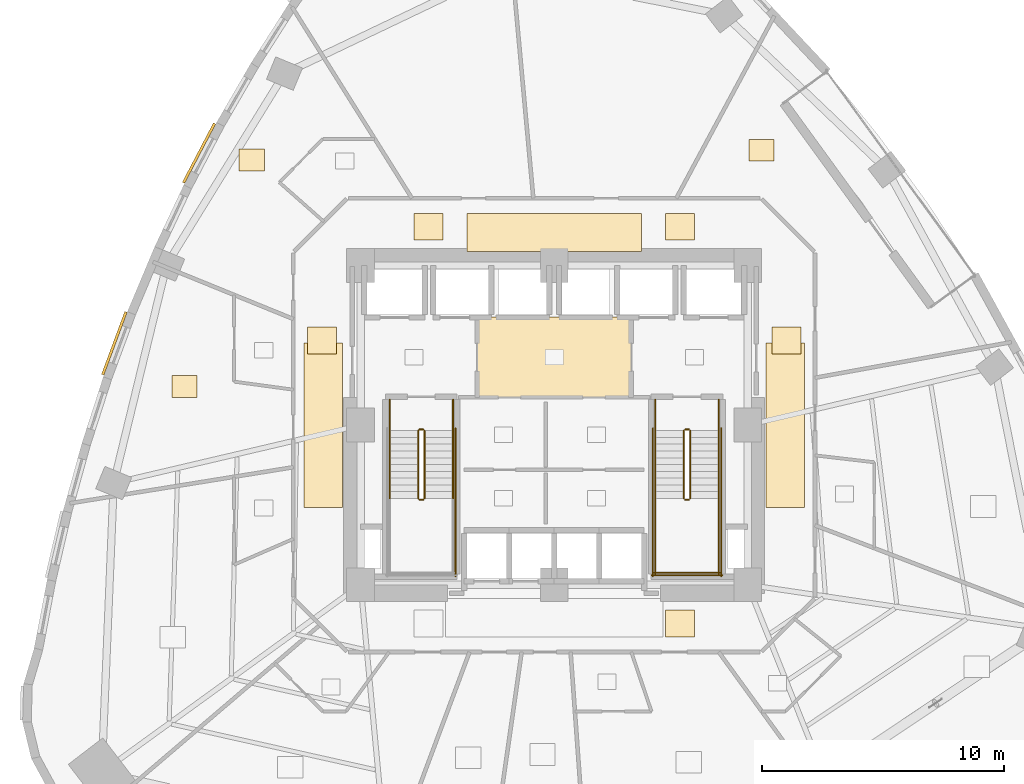
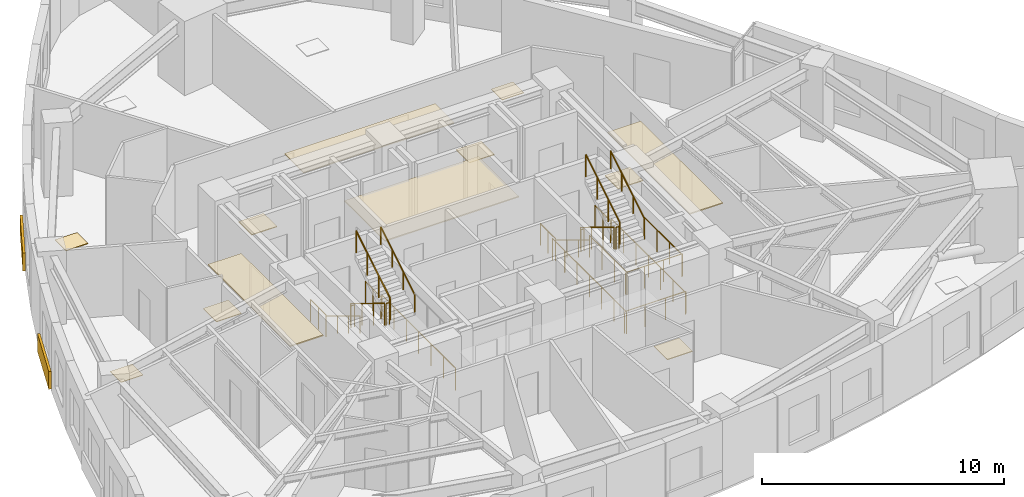
# One storey, part 14 of 15: 23 railings, 14 coverings.
"""IFC4 building model written with IfcOpenShell, lengths in metres."""

from ifc_helpers import new_model, si_unit, direction, frame, origin, origin_2d, place, context, subcontext, project, spatial, rectangle, circle, extrude, material, layer, layer_set, type_object, element, save


model = new_model("IFC4")

# Units and contexts
model_context = context("Model", 3, precision=1e-05, world=origin(), true_north=direction((0.0, 1.0)))
body_context = subcontext(model_context, "Body", "Model", "MODEL_VIEW")
ifc_project = project(units=[si_unit("LENGTHUNIT", "METRE"), si_unit("AREAUNIT", "SQUARE_METRE"), si_unit("VOLUMEUNIT", "CUBIC_METRE"), si_unit("PLANEANGLEUNIT", "RADIAN"), si_unit("MASSUNIT", "GRAM", prefix="KILO")], contexts=[model_context])

# Site, building, storey
site_placement = place(None, origin())
site = spatial("IfcSite", under=ifc_project, at=site_placement, CompositionType="ELEMENT")
building_placement = place(site_placement, origin())
building = spatial("IfcBuilding", under=site, at=building_placement, Name="Ndelora Gate Hotel", CompositionType="ELEMENT")
storey_placement = place(building_placement, frame((0.0, 0.0, 56.75)))
storey = spatial("IfcBuildingStorey", under=building, at=storey_placement, Name="L13", CompositionType="ELEMENT", Elevation=56.75)

# Coverings
ifc_material_1 = material(Name="Perforated Acoustic Gypsum Board", Category="gypsum")
ifc_layer_1 = layer(ifc_material_1, 0.054931640625)
ifc_layer_set_1 = layer_set([ifc_layer_1], Name="Perforated Acoustic Gypsum Board")
covering_type_1 = type_object("IfcCoveringType", Name="COV-CEIL-AC60", PredefinedType="CEILING", material=ifc_layer_set_1)
covering_1_placement = place(storey_placement, frame((0.0, 2.800048828125, 2.72265625), z_axis=(0.0, 0.0, 1.0), x_axis=(1.0, 0.0, 0.0)))
element("IfcCovering", 1, at=covering_1_placement, inside=storey, type_object=covering_type_1, Name="L13 Lift Lobby Acoustic Ceiling", PredefinedType="CEILING", context=body_context, shape_type="SweptSolid", body=[
    extrude(rectangle(XDim=6.39990234375, YDim=3.340087890625, at=origin_2d()), origin(), (0.0, 0.0, 1.0), 0.054931640625),
])
covering_2_placement = place(storey_placement, frame((0.0, 7.9599609375, 2.65234375), z_axis=(0.0, 0.0, 1.0), x_axis=(1.0, 0.0, 0.0)))
element("IfcCovering", 2, at=covering_2_placement, inside=storey, type_object=covering_type_1, Name="L13 Guest Corridor Acoustic Ceiling N", PredefinedType="CEILING", context=body_context, shape_type="SweptSolid", body=[
    extrude(rectangle(XDim=7.199951171875, YDim=1.580078125, at=origin_2d()), origin(), (0.0, 0.0, 1.0), 0.054931640625),
])
for number, where, z_axis, x_axis, name in (
    (3, (-9.550048828125, 0.0, 2.65234375), (0.0, 0.0, 1.0), (1.0, 0.0, 0.0), "L13 Guest Corridor Acoustic Ceiling W"),
    (4, (9.550048828125, 0.0, 2.65234375), (0.0, 0.0, 1.0), (1.0, 0.0, 0.0), "L13 Guest Corridor Acoustic Ceiling E"),
):
    element("IfcCovering", number, at=place(storey_placement, frame(where, z_axis=z_axis, x_axis=x_axis)), inside=storey, type_object=covering_type_1, Name=name, PredefinedType="CEILING", context=body_context, shape_type="SweptSolid", body=[
        extrude(rectangle(XDim=1.580078125, YDim=6.800048828125, at=origin_2d()), origin(), (0.0, 0.0, 1.0), 0.054931640625),
    ])
ifc_material_2 = material(Name="Terracotta Fired Clay Brick Slip Cladding", Category="masonry")
ifc_layer_2 = layer(ifc_material_2, 0.110107421875)
ifc_layer_set_2 = layer_set([ifc_layer_2], Name="Terracotta Fired Clay Brick Slip Cladding")
covering_type_2 = type_object("IfcCoveringType", Name="COV-CLAD-BRK", PredefinedType="CLADDING", material=ifc_layer_set_2)
for number, where, z_axis, x_axis, name in (
    (5, (-14.678955078125, 11.24609375, 0.10009765625), (0.0, 0.0, 1.0), (0.464378391008, 0.885636895101, 0.0), "L13 Rounded-Corner Brick Cladding Band 13"),
    (6, (-18.1796875, 3.38330078125, 0.10009765625), (0.0, 0.0, 1.0), (0.347426681491, 0.937707150974, 0.0), "L13 Rounded-Corner Brick Cladding Band 16"),
):
    element("IfcCovering", number, at=place(storey_placement, frame(where, z_axis=z_axis, x_axis=x_axis)), inside=storey, type_object=covering_type_2, Name=name, PredefinedType="CLADDING", context=body_context, shape_type="SweptSolid", body=[
        extrude(rectangle(XDim=2.764892578125, YDim=0.110107421875, at=origin_2d()), origin(), (0.0, 0.0, 1.0), 0.89990234375),
    ])
ifc_material_3 = material(Name="Engineered Highland Oak Parquet", Category="wood")
ifc_layer_3 = layer(ifc_material_3, 0.030029296875)
ifc_layer_set_3 = layer_set([ifc_layer_3], Name="Engineered Highland Oak Parquet")
covering_type_3 = type_object("IfcCoveringType", Name="COV-FLR-PARQ", PredefinedType="FLOORING", material=ifc_layer_set_3)
for number, where, z_axis, x_axis, name in (
    (7, (8.56787109375, 11.35693359375, 0.0), (0.0, 0.0, 1.0), (1.0, 0.0, 0.0), "L13 Sky Garden Tea Dining Room Oak Parquet Flooring"),
    (8, (-12.505615234375, 10.96142578125, 0.0), (0.0, 0.0, 1.0), (1.0, 0.0, 0.0), "L13 Corner Diplomatic Suite 1604 Oak Parquet Flooring"),
    (9, (-15.28125, 1.5927734375, 0.0), (0.0, 0.0, 1.0), (1.0, 0.0, 0.0), "L13 Executive King Guest Room 1605 Oak Parquet Flooring"),
):
    element("IfcCovering", number, at=place(storey_placement, frame(where, z_axis=z_axis, x_axis=x_axis)), inside=storey, type_object=covering_type_3, Name=name, PredefinedType="FLOORING", context=body_context, shape_type="SweptSolid", body=[
        extrude(rectangle(XDim=1.050048828125, YDim=0.89990234375, at=origin_2d()), origin(), (0.0, 0.0, 1.0), 0.030029296875),
    ])
ifc_material_4 = material(Name="Polished Highland Stone Terrazzo", Category="masonry")
ifc_layer_4 = layer(ifc_material_4, 0.034912109375)
ifc_layer_set_4 = layer_set([ifc_layer_4], Name="Polished Highland Stone Terrazzo")
covering_type_4 = type_object("IfcCoveringType", Name="COV-FLR-TERZ", PredefinedType="FLOORING", material=ifc_layer_set_4)
for number, where, z_axis, x_axis, name in (
    (10, (-5.199951171875, 8.199951171875, 0.0), (0.0, 0.0, 1.0), (1.0, 0.0, 0.0), "L13 Corridor Threshold Terrazzo Inlay NW"),
    (11, (5.199951171875, 8.199951171875, 0.0), (0.0, 0.0, 1.0), (1.0, 0.0, 0.0), "L13 Corridor Threshold Terrazzo Inlay NE"),
    (12, (-9.60009765625, 3.5, 0.0), (0.0, 0.0, 1.0), (1.0, 0.0, 0.0), "L13 Corridor Threshold Terrazzo Inlay W"),
    (13, (9.60009765625, 3.5, 0.0), (0.0, 0.0, 1.0), (1.0, 0.0, 0.0), "L13 Corridor Threshold Terrazzo Inlay E"),
    (14, (5.199951171875, -8.199951171875, 0.0), (0.0, 0.0, 1.0), (1.0, 0.0, 0.0), "L13 Corridor Threshold Terrazzo Inlay SE"),
):
    element("IfcCovering", number, at=place(storey_placement, frame(where, z_axis=z_axis, x_axis=x_axis)), inside=storey, type_object=covering_type_4, Name=name, PredefinedType="FLOORING", context=body_context, shape_type="SweptSolid", body=[
        extrude(rectangle(XDim=1.199951171875, YDim=1.10009765625, at=origin_2d()), origin(), (0.0, 0.0, 1.0), 0.034912109375),
    ])

# Railings
ifc_material_5 = material(Name="Painted Galvanized Steel Balustrade", Category="steel")
ifc_layer_5 = layer(ifc_material_5, 0.06005859375)
ifc_layer_set_5 = layer_set([ifc_layer_5], Name="Painted Galvanized Steel Balustrade")
railing_type_1 = type_object("IfcRailingType", Name="RL-STAIR-GD", PredefinedType="GUARDRAIL", material=ifc_layer_set_5)
railing_1_placement = place(storey_placement, frame((-5.6201171875, -0.22998046875, 0.17041015625)))
element("IfcRailing", 15, at=railing_1_placement, inside=storey, type_object=railing_type_1, Name="L13 ST4 stair guard 1", PredefinedType="GUARDRAIL", context=body_context, shape_type="SweptSolid", body=[
    extrude(circle(Radius=0.02392578125, at=origin_2d()), frame((0.0, 0.0, 1.10595703125), z_axis=(0.0, -0.854169791009, 0.51999420009), x_axis=(1.0, 0.0, 0.0)), (0.0, 0.0, 1.0), 3.278076171875),
    extrude(circle(Radius=0.02099609375, at=origin_2d()), origin(), (0.0, 0.0, 1.0), 1.081787109375),
    extrude(circle(Radius=0.02099609375, at=origin_2d()), frame((0.0, -0.933349609375, 0.568115234375)), (0.0, 0.0, 1.0), 1.081787109375),
    extrude(circle(Radius=0.02099609375, at=origin_2d()), frame((0.0, -1.86669921875, 1.136474609375)), (0.0, 0.0, 1.0), 1.081787109375),
    extrude(circle(Radius=0.02099609375, at=origin_2d()), frame((0.0, -2.800048828125, 1.70458984375)), (0.0, 0.0, 1.0), 1.081787109375),
])
railing_2_placement = place(storey_placement, frame((-5.570068359375, -3.080078125, 1.875)))
element("IfcRailing", 16, at=railing_2_placement, inside=storey, type_object=railing_type_1, Name="L13 ST4 stair guard 2", PredefinedType="GUARDRAIL", context=body_context, shape_type="SweptSolid", body=[
    extrude(circle(Radius=0.02392578125, at=origin_2d()), frame((0.0, 0.0, 1.10595703125), z_axis=(1.0, 0.0, 0.0), x_axis=(0.0, 1.0, 0.0)), (0.0, 0.0, 1.0), 0.16015625),
    extrude(circle(Radius=0.02099609375, at=origin_2d()), origin(), (0.0, 0.0, 1.0), 1.081787109375),
    extrude(circle(Radius=0.02099609375, at=origin_2d()), frame((0.16015625, 0.0, 0.0)), (0.0, 0.0, 1.0), 1.081787109375),
])
railing_3_placement = place(storey_placement, frame((-5.360107421875, -3.030029296875, 2.04541015625)))
element("IfcRailing", 17, at=railing_3_placement, inside=storey, type_object=railing_type_1, Name="L13 ST4 stair guard 6", PredefinedType="GUARDRAIL", context=body_context, shape_type="SweptSolid", body=[
    extrude(circle(Radius=0.02392578125, at=origin_2d()), frame((0.0, 0.0, 1.10595703125), z_axis=(0.0, 0.854169791009, 0.51999420009), x_axis=(-1.0, 0.0, 0.0)), (0.0, 0.0, 1.0), 3.278076171875),
    extrude(circle(Radius=0.02099609375, at=origin_2d()), origin(), (0.0, 0.0, 1.0), 1.081787109375),
    extrude(circle(Radius=0.02099609375, at=origin_2d()), frame((0.0, 0.933349609375, 0.568115234375)), (0.0, 0.0, 1.0), 1.081787109375),
    extrude(circle(Radius=0.02099609375, at=origin_2d()), frame((0.0, 1.86669921875, 1.136474609375)), (0.0, 0.0, 1.0), 1.081787109375),
    extrude(circle(Radius=0.02099609375, at=origin_2d()), frame((0.0, 2.800048828125, 1.70458984375)), (0.0, 0.0, 1.0), 1.081787109375),
])
railing_4_placement = place(storey_placement, frame((-5.570068359375, -0.179931640625, 0.0)))
element("IfcRailing", 18, at=railing_4_placement, inside=storey, type_object=railing_type_1, Name="L13 ST4 stair guard 7", PredefinedType="GUARDRAIL", context=body_context, shape_type="SweptSolid", body=[
    extrude(circle(Radius=0.02392578125, at=origin_2d()), frame((0.0, 0.0, 1.10595703125), z_axis=(1.0, 0.0, 0.0), x_axis=(0.0, 1.0, 0.0)), (0.0, 0.0, 1.0), 0.16015625),
    extrude(circle(Radius=0.02099609375, at=origin_2d()), origin(), (0.0, 0.0, 1.0), 1.081787109375),
    extrude(circle(Radius=0.02099609375, at=origin_2d()), frame((0.16015625, 0.0, 0.0)), (0.0, 0.0, 1.0), 1.081787109375),
])
for number, where, name in (
    (19, (-6.800048828125, 1.050048828125, 0.0), "L13 ST4 stair guard 8"),
    (20, (-4.179931640625, 1.050048828125, 0.0), "L13 ST4 stair guard 9"),
):
    element("IfcRailing", number, at=place(storey_placement, frame(where)), inside=storey, type_object=railing_type_1, Name=name, PredefinedType="GUARDRAIL", context=body_context, shape_type="SweptSolid", body=[
        extrude(circle(Radius=0.02392578125, at=origin_2d()), frame((0.0, 0.0, 1.10595703125), z_axis=(0.0, -1.0, 0.0), x_axis=(1.0, 0.0, 0.0)), (0.0, 0.0, 1.0), 1.280029296875),
        extrude(circle(Radius=0.02099609375, at=origin_2d()), origin(), (0.0, 0.0, 1.0), 1.081787109375),
        extrude(circle(Radius=0.02099609375, at=origin_2d()), frame((0.0, -0.64013671875, 0.0)), (0.0, 0.0, 1.0), 1.081787109375),
        extrude(circle(Radius=0.02099609375, at=origin_2d()), frame((0.0, -1.280029296875, 0.0)), (0.0, 0.0, 1.0), 1.081787109375),
    ])
railing_5_placement = place(storey_placement, frame((-4.080078125, -0.1298828125, 0.0)))
element("IfcRailing", 21, at=railing_5_placement, inside=storey, type_object=railing_type_1, Name="L13 ST4 stair guard 11", PredefinedType="GUARDRAIL", context=body_context, shape_type="SweptSolid", body=[
    extrude(circle(Radius=0.02392578125, at=origin_2d()), frame((0.0, 0.0, 1.10595703125), z_axis=(0.0, -1.0, 0.0), x_axis=(1.0, 0.0, 0.0)), (0.0, 0.0, 1.0), 6.1201171875),
    extrude(circle(Radius=0.02099609375, at=origin_2d()), origin(), (0.0, 0.0, 1.0), 1.081787109375),
    extrude(circle(Radius=0.02099609375, at=origin_2d()), frame((0.0, -1.02001953125, 0.0)), (0.0, 0.0, 1.0), 1.081787109375),
    extrude(circle(Radius=0.02099609375, at=origin_2d()), frame((0.0, -2.0400390625, 0.0)), (0.0, 0.0, 1.0), 1.081787109375),
    extrude(circle(Radius=0.02099609375, at=origin_2d()), frame((0.0, -3.06005859375, 0.0)), (0.0, 0.0, 1.0), 1.081787109375),
    extrude(circle(Radius=0.02099609375, at=origin_2d()), frame((0.0, -4.080078125, 0.0)), (0.0, 0.0, 1.0), 1.081787109375),
    extrude(circle(Radius=0.02099609375, at=origin_2d()), frame((0.0, -5.10009765625, 0.0)), (0.0, 0.0, 1.0), 1.081787109375),
    extrude(circle(Radius=0.02099609375, at=origin_2d()), frame((0.0, -6.1201171875, 0.0)), (0.0, 0.0, 1.0), 1.081787109375),
])
railing_6_placement = place(storey_placement, frame((5.360107421875, -0.22998046875, 0.17041015625)))
element("IfcRailing", 22, at=railing_6_placement, inside=storey, type_object=railing_type_1, Name="L13 ST5 stair guard 1", PredefinedType="GUARDRAIL", context=body_context, shape_type="SweptSolid", body=[
    extrude(circle(Radius=0.02392578125, at=origin_2d()), frame((0.0, 0.0, 1.10595703125), z_axis=(0.0, -0.854169791009, 0.51999420009), x_axis=(1.0, 0.0, 0.0)), (0.0, 0.0, 1.0), 3.278076171875),
    extrude(circle(Radius=0.02099609375, at=origin_2d()), origin(), (0.0, 0.0, 1.0), 1.081787109375),
    extrude(circle(Radius=0.02099609375, at=origin_2d()), frame((0.0, -0.933349609375, 0.568115234375)), (0.0, 0.0, 1.0), 1.081787109375),
    extrude(circle(Radius=0.02099609375, at=origin_2d()), frame((0.0, -1.86669921875, 1.136474609375)), (0.0, 0.0, 1.0), 1.081787109375),
    extrude(circle(Radius=0.02099609375, at=origin_2d()), frame((0.0, -2.800048828125, 1.70458984375)), (0.0, 0.0, 1.0), 1.081787109375),
])
railing_7_placement = place(storey_placement, frame((5.409912109375, -3.080078125, 1.875)))
element("IfcRailing", 23, at=railing_7_placement, inside=storey, type_object=railing_type_1, Name="L13 ST5 stair guard 2", PredefinedType="GUARDRAIL", context=body_context, shape_type="SweptSolid", body=[
    extrude(circle(Radius=0.02392578125, at=origin_2d()), frame((0.0, 0.0, 1.10595703125), z_axis=(1.0, 0.0, 0.0), x_axis=(0.0, 1.0, 0.0)), (0.0, 0.0, 1.0), 0.16015625),
    extrude(circle(Radius=0.02099609375, at=origin_2d()), origin(), (0.0, 0.0, 1.0), 1.081787109375),
    extrude(circle(Radius=0.02099609375, at=origin_2d()), frame((0.16015625, 0.0, 0.0)), (0.0, 0.0, 1.0), 1.081787109375),
])
for number, where, name in (
    (24, (4.179931640625, -3.030029296875, 1.875), "L13 ST5 stair guard 3"),
    (25, (6.800048828125, -3.030029296875, 1.875), "L13 ST5 stair guard 4"),
):
    element("IfcRailing", number, at=place(storey_placement, frame(where)), inside=storey, type_object=railing_type_1, Name=name, PredefinedType="GUARDRAIL", context=body_context, shape_type="SweptSolid", body=[
        extrude(circle(Radius=0.02392578125, at=origin_2d()), frame((0.0, 0.0, 1.10595703125), z_axis=(0.0, -1.0, 0.0), x_axis=(1.0, 0.0, 0.0)), (0.0, 0.0, 1.0), 3.119873046875),
        extrude(circle(Radius=0.02099609375, at=origin_2d()), origin(), (0.0, 0.0, 1.0), 1.081787109375),
        extrude(circle(Radius=0.02099609375, at=origin_2d()), frame((0.0, -1.0400390625, 0.0)), (0.0, 0.0, 1.0), 1.081787109375),
        extrude(circle(Radius=0.02099609375, at=origin_2d()), frame((0.0, -2.079833984375, 0.0)), (0.0, 0.0, 1.0), 1.081787109375),
        extrude(circle(Radius=0.02099609375, at=origin_2d()), frame((0.0, -3.119873046875, 0.0)), (0.0, 0.0, 1.0), 1.081787109375),
    ])
railing_8_placement = place(storey_placement, frame((4.1298828125, -6.10009765625, 1.875)))
element("IfcRailing", 26, at=railing_8_placement, inside=storey, type_object=railing_type_1, Name="L13 ST5 stair guard 5", PredefinedType="GUARDRAIL", context=body_context, shape_type="SweptSolid", body=[
    extrude(circle(Radius=0.02392578125, at=origin_2d()), frame((0.0, 0.0, 1.10595703125), z_axis=(1.0, 0.0, 0.0), x_axis=(0.0, 1.0, 0.0)), (0.0, 0.0, 1.0), 2.72021484375),
    extrude(circle(Radius=0.02099609375, at=origin_2d()), origin(), (0.0, 0.0, 1.0), 1.081787109375),
    extrude(circle(Radius=0.02099609375, at=origin_2d()), frame((0.90673828125, 0.0, 0.0)), (0.0, 0.0, 1.0), 1.081787109375),
    extrude(circle(Radius=0.02099609375, at=origin_2d()), frame((1.8134765625, 0.0, 0.0)), (0.0, 0.0, 1.0), 1.081787109375),
    extrude(circle(Radius=0.02099609375, at=origin_2d()), frame((2.72021484375, 0.0, 0.0)), (0.0, 0.0, 1.0), 1.081787109375),
])
railing_9_placement = place(storey_placement, frame((5.6201171875, -3.030029296875, 2.04541015625)))
element("IfcRailing", 27, at=railing_9_placement, inside=storey, type_object=railing_type_1, Name="L13 ST5 stair guard 6", PredefinedType="GUARDRAIL", context=body_context, shape_type="SweptSolid", body=[
    extrude(circle(Radius=0.02392578125, at=origin_2d()), frame((0.0, 0.0, 1.10595703125), z_axis=(0.0, 0.854169791009, 0.51999420009), x_axis=(-1.0, 0.0, 0.0)), (0.0, 0.0, 1.0), 3.278076171875),
    extrude(circle(Radius=0.02099609375, at=origin_2d()), origin(), (0.0, 0.0, 1.0), 1.081787109375),
    extrude(circle(Radius=0.02099609375, at=origin_2d()), frame((0.0, 0.933349609375, 0.568115234375)), (0.0, 0.0, 1.0), 1.081787109375),
    extrude(circle(Radius=0.02099609375, at=origin_2d()), frame((0.0, 1.86669921875, 1.136474609375)), (0.0, 0.0, 1.0), 1.081787109375),
    extrude(circle(Radius=0.02099609375, at=origin_2d()), frame((0.0, 2.800048828125, 1.70458984375)), (0.0, 0.0, 1.0), 1.081787109375),
])
railing_10_placement = place(storey_placement, frame((5.409912109375, -0.179931640625, 0.0)))
element("IfcRailing", 28, at=railing_10_placement, inside=storey, type_object=railing_type_1, Name="L13 ST5 stair guard 7", PredefinedType="GUARDRAIL", context=body_context, shape_type="SweptSolid", body=[
    extrude(circle(Radius=0.02392578125, at=origin_2d()), frame((0.0, 0.0, 1.10595703125), z_axis=(1.0, 0.0, 0.0), x_axis=(0.0, 1.0, 0.0)), (0.0, 0.0, 1.0), 0.16015625),
    extrude(circle(Radius=0.02099609375, at=origin_2d()), origin(), (0.0, 0.0, 1.0), 1.081787109375),
    extrude(circle(Radius=0.02099609375, at=origin_2d()), frame((0.16015625, 0.0, 0.0)), (0.0, 0.0, 1.0), 1.081787109375),
])
for number, where, name in (
    (29, (4.179931640625, 1.050048828125, 0.0), "L13 ST5 stair guard 8"),
    (30, (6.800048828125, 1.050048828125, 0.0), "L13 ST5 stair guard 9"),
):
    element("IfcRailing", number, at=place(storey_placement, frame(where)), inside=storey, type_object=railing_type_1, Name=name, PredefinedType="GUARDRAIL", context=body_context, shape_type="SweptSolid", body=[
        extrude(circle(Radius=0.02392578125, at=origin_2d()), frame((0.0, 0.0, 1.10595703125), z_axis=(0.0, -1.0, 0.0), x_axis=(1.0, 0.0, 0.0)), (0.0, 0.0, 1.0), 1.280029296875),
        extrude(circle(Radius=0.02099609375, at=origin_2d()), origin(), (0.0, 0.0, 1.0), 1.081787109375),
        extrude(circle(Radius=0.02099609375, at=origin_2d()), frame((0.0, -0.64013671875, 0.0)), (0.0, 0.0, 1.0), 1.081787109375),
        extrude(circle(Radius=0.02099609375, at=origin_2d()), frame((0.0, -1.280029296875, 0.0)), (0.0, 0.0, 1.0), 1.081787109375),
    ])
for number, where, name in (
    (31, (4.080078125, -0.1298828125, 0.0), "L13 ST5 stair guard 10"),
    (32, (6.89990234375, -0.1298828125, 0.0), "L13 ST5 stair guard 11"),
):
    element("IfcRailing", number, at=place(storey_placement, frame(where)), inside=storey, type_object=railing_type_1, Name=name, PredefinedType="GUARDRAIL", context=body_context, shape_type="SweptSolid", body=[
        extrude(circle(Radius=0.02392578125, at=origin_2d()), frame((0.0, 0.0, 1.10595703125), z_axis=(0.0, -1.0, 0.0), x_axis=(1.0, 0.0, 0.0)), (0.0, 0.0, 1.0), 6.1201171875),
        extrude(circle(Radius=0.02099609375, at=origin_2d()), origin(), (0.0, 0.0, 1.0), 1.081787109375),
        extrude(circle(Radius=0.02099609375, at=origin_2d()), frame((0.0, -1.02001953125, 0.0)), (0.0, 0.0, 1.0), 1.081787109375),
        extrude(circle(Radius=0.02099609375, at=origin_2d()), frame((0.0, -2.0400390625, 0.0)), (0.0, 0.0, 1.0), 1.081787109375),
        extrude(circle(Radius=0.02099609375, at=origin_2d()), frame((0.0, -3.06005859375, 0.0)), (0.0, 0.0, 1.0), 1.081787109375),
        extrude(circle(Radius=0.02099609375, at=origin_2d()), frame((0.0, -4.080078125, 0.0)), (0.0, 0.0, 1.0), 1.081787109375),
        extrude(circle(Radius=0.02099609375, at=origin_2d()), frame((0.0, -5.10009765625, 0.0)), (0.0, 0.0, 1.0), 1.081787109375),
        extrude(circle(Radius=0.02099609375, at=origin_2d()), frame((0.0, -6.1201171875, 0.0)), (0.0, 0.0, 1.0), 1.081787109375),
    ])
railing_11_placement = place(storey_placement, frame((4.030029296875, -6.199951171875, 0.0)))
element("IfcRailing", 33, at=railing_11_placement, inside=storey, type_object=railing_type_1, Name="L13 ST5 stair guard 12", PredefinedType="GUARDRAIL", context=body_context, shape_type="SweptSolid", body=[
    extrude(circle(Radius=0.02392578125, at=origin_2d()), frame((0.0, 0.0, 1.10595703125), z_axis=(1.0, 0.0, 0.0), x_axis=(0.0, 1.0, 0.0)), (0.0, 0.0, 1.0), 2.919921875),
    extrude(circle(Radius=0.02099609375, at=origin_2d()), origin(), (0.0, 0.0, 1.0), 1.081787109375),
    extrude(circle(Radius=0.02099609375, at=origin_2d()), frame((0.973388671875, 0.0, 0.0)), (0.0, 0.0, 1.0), 1.081787109375),
    extrude(circle(Radius=0.02099609375, at=origin_2d()), frame((1.946533203125, 0.0, 0.0)), (0.0, 0.0, 1.0), 1.081787109375),
    extrude(circle(Radius=0.02099609375, at=origin_2d()), frame((2.919921875, 0.0, 0.0)), (0.0, 0.0, 1.0), 1.081787109375),
])
ifc_material_6 = material(Name="Brushed Stainless Steel 316", Category="steel")
ifc_layer_6 = layer(ifc_material_6, 0.050048828125)
ifc_layer_set_6 = layer_set([ifc_layer_6], Name="Brushed Stainless Steel 316")
railing_type_2 = type_object("IfcRailingType", Name="RL-STAIR-HR", PredefinedType="HANDRAIL", material=ifc_layer_set_6)
railing_12_placement = place(storey_placement, frame((-6.800048828125, -0.22998046875, 0.17041015625)))
element("IfcRailing", 34, at=railing_12_placement, inside=storey, type_object=railing_type_2, Name="L13 ST4 stair handrail 1", PredefinedType="HANDRAIL", context=body_context, shape_type="SweptSolid", body=[
    extrude(circle(Radius=0.02392578125, at=origin_2d()), frame((0.0, 0.0, 0.8759765625), z_axis=(0.0, -0.854169791009, 0.51999420009), x_axis=(1.0, 0.0, 0.0)), (0.0, 0.0, 1.0), 3.278076171875),
    extrude(circle(Radius=0.02099609375, at=origin_2d()), origin(), (0.0, 0.0, 1.0), 0.851806640625),
    extrude(circle(Radius=0.02099609375, at=origin_2d()), frame((0.0, -0.933349609375, 0.568115234375)), (0.0, 0.0, 1.0), 0.851806640625),
    extrude(circle(Radius=0.02099609375, at=origin_2d()), frame((0.0, -1.86669921875, 1.136474609375)), (0.0, 0.0, 1.0), 0.851806640625),
    extrude(circle(Radius=0.02099609375, at=origin_2d()), frame((0.0, -2.800048828125, 1.70458984375)), (0.0, 0.0, 1.0), 0.851806640625),
])
railing_13_placement = place(storey_placement, frame((-4.179931640625, -3.030029296875, 2.04541015625)))
element("IfcRailing", 35, at=railing_13_placement, inside=storey, type_object=railing_type_2, Name="L13 ST4 stair handrail 2", PredefinedType="HANDRAIL", context=body_context, shape_type="SweptSolid", body=[
    extrude(circle(Radius=0.02392578125, at=origin_2d()), frame((0.0, 0.0, 0.8759765625), z_axis=(0.0, 0.854169791009, 0.51999420009), x_axis=(-1.0, 0.0, 0.0)), (0.0, 0.0, 1.0), 3.278076171875),
    extrude(circle(Radius=0.02099609375, at=origin_2d()), origin(), (0.0, 0.0, 1.0), 0.851806640625),
    extrude(circle(Radius=0.02099609375, at=origin_2d()), frame((0.0, 0.933349609375, 0.568115234375)), (0.0, 0.0, 1.0), 0.851806640625),
    extrude(circle(Radius=0.02099609375, at=origin_2d()), frame((0.0, 1.86669921875, 1.136474609375)), (0.0, 0.0, 1.0), 0.851806640625),
    extrude(circle(Radius=0.02099609375, at=origin_2d()), frame((0.0, 2.800048828125, 1.70458984375)), (0.0, 0.0, 1.0), 0.851806640625),
])
railing_14_placement = place(storey_placement, frame((4.179931640625, -0.22998046875, 0.17041015625)))
element("IfcRailing", 36, at=railing_14_placement, inside=storey, type_object=railing_type_2, Name="L13 ST5 stair handrail 1", PredefinedType="HANDRAIL", context=body_context, shape_type="SweptSolid", body=[
    extrude(circle(Radius=0.02392578125, at=origin_2d()), frame((0.0, 0.0, 0.8759765625), z_axis=(0.0, -0.854169791009, 0.51999420009), x_axis=(1.0, 0.0, 0.0)), (0.0, 0.0, 1.0), 3.278076171875),
    extrude(circle(Radius=0.02099609375, at=origin_2d()), origin(), (0.0, 0.0, 1.0), 0.851806640625),
    extrude(circle(Radius=0.02099609375, at=origin_2d()), frame((0.0, -0.933349609375, 0.568115234375)), (0.0, 0.0, 1.0), 0.851806640625),
    extrude(circle(Radius=0.02099609375, at=origin_2d()), frame((0.0, -1.86669921875, 1.136474609375)), (0.0, 0.0, 1.0), 0.851806640625),
    extrude(circle(Radius=0.02099609375, at=origin_2d()), frame((0.0, -2.800048828125, 1.70458984375)), (0.0, 0.0, 1.0), 0.851806640625),
])
railing_15_placement = place(storey_placement, frame((6.800048828125, -3.030029296875, 2.04541015625)))
element("IfcRailing", 37, at=railing_15_placement, inside=storey, type_object=railing_type_2, Name="L13 ST5 stair handrail 2", PredefinedType="HANDRAIL", context=body_context, shape_type="SweptSolid", body=[
    extrude(circle(Radius=0.02392578125, at=origin_2d()), frame((0.0, 0.0, 0.8759765625), z_axis=(0.0, 0.854169791009, 0.51999420009), x_axis=(-1.0, 0.0, 0.0)), (0.0, 0.0, 1.0), 3.278076171875),
    extrude(circle(Radius=0.02099609375, at=origin_2d()), origin(), (0.0, 0.0, 1.0), 0.851806640625),
    extrude(circle(Radius=0.02099609375, at=origin_2d()), frame((0.0, 0.933349609375, 0.568115234375)), (0.0, 0.0, 1.0), 0.851806640625),
    extrude(circle(Radius=0.02099609375, at=origin_2d()), frame((0.0, 1.86669921875, 1.136474609375)), (0.0, 0.0, 1.0), 0.851806640625),
    extrude(circle(Radius=0.02099609375, at=origin_2d()), frame((0.0, 2.800048828125, 1.70458984375)), (0.0, 0.0, 1.0), 0.851806640625),
])

save(model, "model.ifc")
